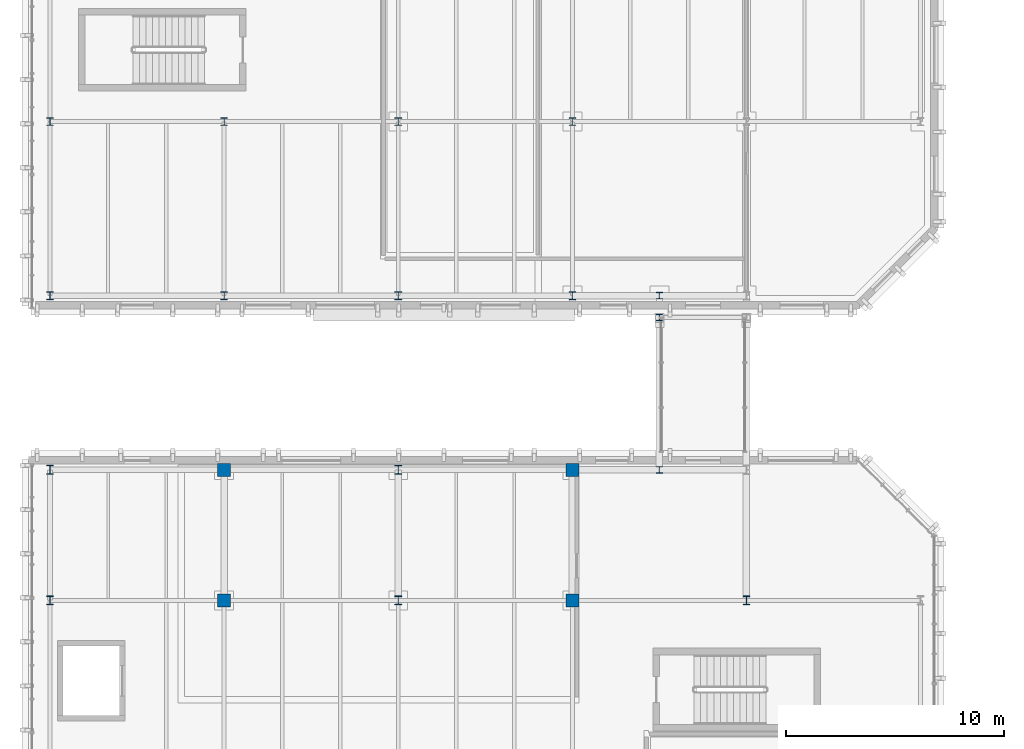
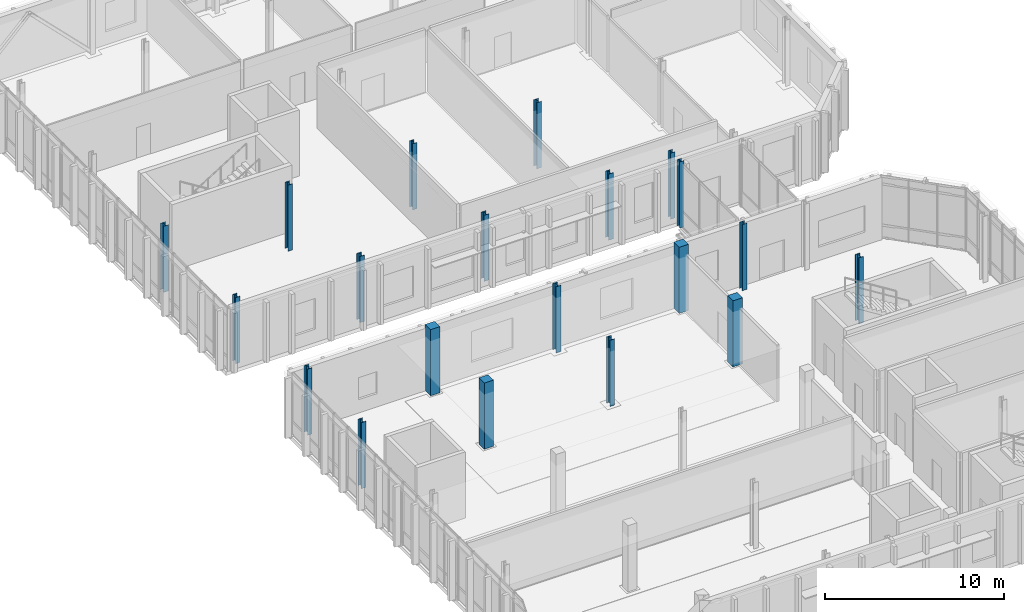
# One storey, part 8 of 86: 20 columns.
"""IFC4 building model written with IfcOpenShell, lengths in metres."""

import ifcopenshell
import ifcopenshell.guid

model = None  # the IFC model being written
_history = None  # IfcOwnerHistory: only IFC2X3 demands one
_inside = {}  # id of a spatial element -> (the spatial element, [elements in it])
_under = {}  # id of a project, library or spatial element -> (it, [spatial elements below it])
_declared = {}  # id of a project -> (the project, [libraries it declares])
_typed = {}  # id of a type object -> (the type object, [elements of that type])
_made_of = {}  # id of a material, layer set ... -> (it, [elements and type objects made of it])


def new_model(schema):
    """Start an empty IFC model of exactly this schema.

    Asked for "IFC4X3", IfcOpenShell would pick the latest addendum, in which some entities
    have other attributes; the version numbers below select the first issue.
    IFC2X3 requires an IfcOwnerHistory on every rooted entity: one is made here for all.
    """
    global model, _history
    if schema == "IFC4X3":
        model = ifcopenshell.file(schema_version=(4, 3, 0, 0))
    else:
        model = ifcopenshell.file(schema=schema)
    _inside.clear()
    _under.clear()
    _declared.clear()
    _typed.clear()
    _made_of.clear()
    _history = None
    if model.schema == "IFC2X3":
        org = make("IfcOrganization", Name="unknown")
        user = make(
            "IfcPersonAndOrganization",
            ThePerson=make("IfcPerson", FamilyName="unknown"),
            TheOrganization=org,
        )
        app = make(
            "IfcApplication",
            ApplicationDeveloper=org,
            Version="unknown",
            ApplicationFullName="unknown",
            ApplicationIdentifier="unknown",
        )
        _history = make(
            "IfcOwnerHistory",
            OwningUser=user,
            OwningApplication=app,
            ChangeAction="ADDED",
            CreationDate=0,
        )
    return model


def make(cls, **values):
    """One entity of the class cls with the attributes given. An attribute that is None is left unset."""
    return model.create_entity(
        cls, **{name: value for name, value in values.items() if value is not None}
    )


def rooted(cls, **values):
    """An entity with a GlobalId (a new one), such as an element, a storey or a relation."""
    return make(cls, GlobalId=ifcopenshell.guid.new(), OwnerHistory=_history, **values)


def si_unit(unit_type, name, prefix=None):
    """IfcSIUnit, for example si_unit("LENGTHUNIT", "METRE", prefix="MILLI")."""
    return make("IfcSIUnit", UnitType=unit_type, Prefix=prefix, Name=name)


def assignment(units):
    """IfcUnitAssignment: the units of a project."""
    return None if units is None else make("IfcUnitAssignment", Units=units)


def point(xyz):
    """IfcCartesianPoint."""
    return None if xyz is None else make("IfcCartesianPoint", Coordinates=xyz)


def direction(xyz):
    """IfcDirection."""
    return None if xyz is None else make("IfcDirection", DirectionRatios=xyz)


def frame(location, z_axis=None, x_axis=None):
    """IfcAxis2Placement3D, a coordinate frame: its origin and axes. An axis left out is left unset."""
    return make(
        "IfcAxis2Placement3D",
        Location=point(location),
        Axis=direction(z_axis),
        RefDirection=direction(x_axis),
    )


def frame_2d(location, x_axis=None):
    """IfcAxis2Placement2D, a coordinate frame in the plane: its origin and x axis."""
    return make(
        "IfcAxis2Placement2D", Location=point(location), RefDirection=direction(x_axis)
    )


def origin():
    """The frame at (0, 0, 0) with its axes left unset."""
    return frame((0.0, 0.0, 0.0))


def origin_2d():
    """The frame at (0, 0) in the plane with its x axis left unset."""
    return frame_2d((0.0, 0.0))


def place(relative_to, where):
    """IfcLocalPlacement: puts the frame where relative to a parent placement (None: the world)."""
    return make(
        "IfcLocalPlacement", PlacementRelTo=relative_to, RelativePlacement=where
    )


def context(
    kind, dimensions, precision=None, world=None, true_north=None, identifier=None
):
    """IfcGeometricRepresentationContext, for example the 3D "Model" context."""
    return make(
        "IfcGeometricRepresentationContext",
        ContextIdentifier=identifier,
        ContextType=kind,
        CoordinateSpaceDimension=dimensions,
        Precision=precision,
        WorldCoordinateSystem=world,
        TrueNorth=true_north,
    )


def subcontext(parent, identifier, kind, view, scale=None):
    """IfcGeometricRepresentationSubContext, for example "Body" below "Model"."""
    return make(
        "IfcGeometricRepresentationSubContext",
        ContextIdentifier=identifier,
        ContextType=kind,
        ParentContext=parent,
        TargetScale=scale,
        TargetView=view,
    )


def project(units=None, contexts=None):
    """IfcProject with its units and contexts."""
    return rooted(
        "IfcProject",
        Name="project",
        RepresentationContexts=contexts,
        UnitsInContext=assignment(units),
    )


def spatial(cls, under=None, at=None, **own):
    """A site, building, storey or space (cls), placed at a placement, below another one or the project."""
    s = rooted(cls, ObjectPlacement=at, **own)
    if under is not None:
        _under.setdefault(under.id(), (under, []))[1].append(s)
    return s


def profile(cls, at=None, kind="AREA", **sizes):
    """A parametric profile (cls). Its sizes go by their IFC names, for example OverallWidth=200.0."""
    return make(cls, ProfileType=kind, Position=at, **sizes)


def rectangle(**sizes):
    """IfcRectangleProfileDef."""
    return profile("IfcRectangleProfileDef", **sizes)


def i_section(**sizes):
    """IfcIShapeProfileDef."""
    return profile("IfcIShapeProfileDef", **sizes)


def extrude(swept, where, along, depth):
    """IfcExtrudedAreaSolid: the profile swept, set in the frame where, extruded along a direction by depth."""
    return make(
        "IfcExtrudedAreaSolid",
        SweptArea=swept,
        Position=where,
        ExtrudedDirection=direction(along),
        Depth=depth,
    )


def shape(context_of_items, identifier, shape_type, items):
    """IfcShapeRepresentation: the items that make up one representation, for example the "Body"."""
    return make(
        "IfcShapeRepresentation",
        ContextOfItems=context_of_items,
        RepresentationIdentifier=identifier,
        RepresentationType=shape_type,
        Items=items,
    )


def material(Name=None, Category=None):
    """IfcMaterial."""
    return make("IfcMaterial", Name=Name, Category=Category)


def material_profile(
    of_material, cross_section, Name=None, Category=None, Priority=None
):
    """IfcMaterialProfile: a cross section and its material."""
    return make(
        "IfcMaterialProfile",
        Name=Name,
        Material=of_material,
        Profile=cross_section,
        Priority=Priority,
        Category=Category,
    )


def profile_set(profiles, Name=None, composite=None):
    """IfcMaterialProfileSet."""
    return make(
        "IfcMaterialProfileSet",
        Name=Name,
        MaterialProfiles=profiles,
        CompositeProfile=composite,
    )


def made_of(thing, what):
    """Note that an element or type object is made of a material, layer set ...; save() writes the relation."""
    if what is not None:
        _made_of.setdefault(what.id(), (what, []))[1].append(thing)
    return thing


def type_object(cls, material=None, **own):
    """A type object (cls), such as IfcWallType, which elements share."""
    return made_of(rooted(cls, **own), material)


def element(
    cls,
    number,
    at=None,
    inside=None,
    cuts=None,
    type_object=None,
    material=None,
    context=None,
    identifier="Body",
    shape_type=None,
    held_by="IfcProductDefinitionShape",
    body=None,
    shapes=None,
    **own,
):
    """One element of the class cls, such as IfcWall. Its Tag is "e" and its number.

    at: its placement. inside: the storey or other place that contains it. cuts: it is an
    opening in that element (IfcRelVoidsElement). A single representation is given by context,
    identifier, shape_type and body (its items); several are given by shapes. held_by: the class
    of the entity that holds the representations. save() writes the other relations.
    """
    e = rooted(cls, Tag="e%d" % number, ObjectPlacement=at, **own)
    if body is not None:
        shapes = [shape(context, identifier, shape_type, body)]
    if shapes is not None:
        e.Representation = make(held_by, Representations=shapes)
    if inside is not None:
        _inside.setdefault(inside.id(), (inside, []))[1].append(e)
    if cuts is not None:
        rooted(
            "IfcRelVoidsElement", RelatingBuildingElement=cuts, RelatedOpeningElement=e
        )
    if type_object is not None:
        _typed.setdefault(type_object.id(), (type_object, []))[1].append(e)
    return made_of(e, material)


def aggregate(whole, parts):
    """IfcRelAggregates: a whole, such as a stair, and the parts it consists of."""
    return rooted("IfcRelAggregates", RelatingObject=whole, RelatedObjects=parts)


def save(model, path):
    """Write the relations noted so far, then the file.

    IfcRelAggregates (storeys below a building ...), IfcRelContainedInSpatialStructure (elements
    in a storey), IfcRelDefinesByType, IfcRelAssociatesMaterial and IfcRelDeclares: one each for
    every whole, place, type object, material and project.
    """
    for whole, parts in _under.values():
        aggregate(whole, parts)
    for where, things in _inside.values():
        rooted(
            "IfcRelContainedInSpatialStructure",
            RelatedElements=things,
            RelatingStructure=where,
        )
    for kind, things in _typed.values():
        rooted("IfcRelDefinesByType", RelatedObjects=things, RelatingType=kind)
    for what, things in _made_of.values():
        rooted("IfcRelAssociatesMaterial", RelatedObjects=things, RelatingMaterial=what)
    for by, libraries in _declared.values():
        rooted("IfcRelDeclares", RelatingContext=by, RelatedDefinitions=libraries)
    model.write(path)


model = new_model("IFC4")

# Units and contexts
model_context = context("Model", 3, precision=1e-05, world=origin(), true_north=direction((0.0, 1.0)))
body_context = subcontext(model_context, "Body", "Model", "MODEL_VIEW")
ifc_project = project(units=[si_unit("LENGTHUNIT", "METRE"), si_unit("AREAUNIT", "SQUARE_METRE"), si_unit("VOLUMEUNIT", "CUBIC_METRE"), si_unit("PLANEANGLEUNIT", "RADIAN"), si_unit("MASSUNIT", "GRAM", prefix="KILO")], contexts=[model_context])

# Site, building, storey
site_placement = place(None, origin())
site = spatial("IfcSite", under=ifc_project, at=site_placement, CompositionType="ELEMENT")
building_placement = place(site_placement, origin())
building = spatial("IfcBuilding", under=site, at=building_placement, Name="Cymarion Research Institute", CompositionType="ELEMENT")
storey_placement = place(building_placement, frame((0.0, 0.0, 13.800048828125)))
storey = spatial("IfcBuildingStorey", under=building, at=storey_placement, Name="L03", CompositionType="ELEMENT", Elevation=13.800048828125)

# Columns
ifc_material_1 = material(Name="Steel S355", Category="steel")
ifc_material_profile_1 = material_profile(ifc_material_1, i_section(OverallWidth=0.300048828125, OverallDepth=0.39990234375, WebThickness=0.013427734375, FlangeThickness=0.02392578125, FilletRadius=0.027099609375, at=origin_2d()), Name="HEB 400")
ifc_profile_set_1 = profile_set([ifc_material_profile_1], Name="Steel S355")
column_type_1 = type_object("IfcColumnType", Name="STRUCTURAL COLUMN C06 HEB 400", PredefinedType="COLUMN", material=ifc_profile_set_1)
for number, where, z_axis, x_axis, name in (
    (1, (6.60009765625, 71.5, 0.0), (0.0, 0.0, 1.0), (1.0, 0.0, 0.0), "L03 V4 column C06 #867"),
    (2, (6.60009765625, 77.5, 0.0), (0.0, 0.0, 1.0), (1.0, 0.0, 0.0), "L03 V4 column C06 #868"),
    (3, (22.60009765625, 71.5, 0.0), (0.0, 0.0, 1.0), (1.0, 0.0, 0.0), "L03 V4 column C06 #886"),
    (4, (22.60009765625, 77.5, 0.0), (0.0, 0.0, 1.0), (1.0, 0.0, 0.0), "L03 V4 column C06 #887"),
    (5, (38.60009765625, 71.5, 0.0), (0.0, 0.0, 1.0), (1.0, 0.0, 0.0), "L03 V4 column C06 #908"),
):
    element("IfcColumn", number, at=place(storey_placement, frame(where, z_axis=z_axis, x_axis=x_axis)), inside=storey, type_object=column_type_1, Name=name, PredefinedType="COLUMN", context=body_context, shape_type="SweptSolid", body=[
        extrude(i_section(OverallWidth=0.300048828125, OverallDepth=0.39990234375, WebThickness=0.013427734375, FlangeThickness=0.02392578125, FilletRadius=0.027099609375, at=origin_2d()), origin(), (0.0, 0.0, 1.0), 4.5),
    ])
ifc_material_profile_2 = material_profile(ifc_material_1, i_section(OverallWidth=0.300048828125, OverallDepth=0.360107421875, WebThickness=0.012451171875, FlangeThickness=0.0224609375, FilletRadius=0.027099609375, at=origin_2d()), Name="HEB 360")
ifc_profile_set_2 = profile_set([ifc_material_profile_2], Name="Steel S355")
column_type_2 = type_object("IfcColumnType", Name="STRUCTURAL COLUMN C07 HEB 360", PredefinedType="COLUMN", material=ifc_profile_set_2)
for number, where, z_axis, x_axis, name in (
    (6, (6.60009765625, 85.5, 0.0), (0.0, 0.0, 1.0), (1.0, 0.0, 0.0), "L03 V5 column C07 #869"),
    (7, (14.60009765625, 85.5, 0.0), (0.0, 0.0, 1.0), (1.0, 0.0, 0.0), "L03 V5 column C07 #879"),
    (8, (22.60009765625, 85.5, 0.0), (0.0, 0.0, 1.0), (1.0, 0.0, 0.0), "L03 V5 column C07 #888"),
    (9, (30.60009765625, 85.5, 0.0), (0.0, 0.0, 1.0), (1.0, 0.0, 0.0), "L03 V5 column C07 #898"),
):
    element("IfcColumn", number, at=place(storey_placement, frame(where, z_axis=z_axis, x_axis=x_axis)), inside=storey, type_object=column_type_2, Name=name, PredefinedType="COLUMN", context=body_context, shape_type="SweptSolid", body=[
        extrude(i_section(OverallWidth=0.300048828125, OverallDepth=0.360107421875, WebThickness=0.012451171875, FlangeThickness=0.0224609375, FilletRadius=0.027099609375, at=origin_2d()), origin(), (0.0, 0.0, 1.0), 4.5),
    ])
ifc_material_profile_3 = material_profile(ifc_material_1, i_section(OverallWidth=0.300048828125, OverallDepth=0.300048828125, WebThickness=0.010986328125, FlangeThickness=0.01904296875, FilletRadius=0.027099609375, at=origin_2d()), Name="HEB 300")
ifc_profile_set_3 = profile_set([ifc_material_profile_3], Name="Steel S355")
column_type_3 = type_object("IfcColumnType", Name="STRUCTURAL COLUMN C08 HEB 300", PredefinedType="COLUMN", material=ifc_profile_set_3)
for number, where, z_axis, x_axis, name in (
    (10, (34.60009765625, 77.5, 0.0), (0.0, 0.0, 1.0), (1.0, 0.0, 0.0), "L03 V4 column C08 #903"),
    (11, (34.60009765625, 85.5, 0.0), (0.0, 0.0, 1.0), (1.0, 0.0, 0.0), "L03 V5 column C08 #905"),
):
    element("IfcColumn", number, at=place(storey_placement, frame(where, z_axis=z_axis, x_axis=x_axis)), inside=storey, type_object=column_type_3, Name=name, PredefinedType="COLUMN", context=body_context, shape_type="SweptSolid", body=[
        extrude(i_section(OverallWidth=0.300048828125, OverallDepth=0.300048828125, WebThickness=0.010986328125, FlangeThickness=0.01904296875, FilletRadius=0.027099609375, at=origin_2d()), origin(), (0.0, 0.0, 1.0), 4.5),
    ])
ifc_material_profile_4 = material_profile(ifc_material_1, i_section(OverallWidth=0.280029296875, OverallDepth=0.280029296875, WebThickness=0.010498046875, FlangeThickness=0.01806640625, FilletRadius=0.02392578125, at=origin_2d()), Name="HEB 280")
ifc_profile_set_4 = profile_set([ifc_material_profile_4], Name="Steel S355")
column_type_4 = type_object("IfcColumnType", Name="STRUCTURAL COLUMN C09 HEB 280", PredefinedType="COLUMN", material=ifc_profile_set_4)
column_placement = place(storey_placement, frame((34.60009765625, 84.5, 0.0), z_axis=(0.0, 0.0, 1.0), x_axis=(1.0, 0.0, 0.0)))
element("IfcColumn", 12, at=column_placement, inside=storey, type_object=column_type_4, Name="L03 V4 column C09 #904", PredefinedType="COLUMN", context=body_context, shape_type="SweptSolid", body=[
    extrude(i_section(OverallWidth=0.280029296875, OverallDepth=0.280029296875, WebThickness=0.010498046875, FlangeThickness=0.01806640625, FilletRadius=0.02392578125, at=origin_2d()), origin(), (0.0, 0.0, 1.0), 4.5),
])
ifc_material_profile_5 = material_profile(ifc_material_1, i_section(OverallWidth=0.300048828125, OverallDepth=0.35009765625, WebThickness=0.010009765625, FlangeThickness=0.017578125, FilletRadius=0.027099609375, at=origin_2d()), Name="HEA 360")
ifc_profile_set_5 = profile_set([ifc_material_profile_5], Name="Steel S355")
column_type_5 = type_object("IfcColumnType", Name="STRUCTURAL COLUMN C12 HEA 360", PredefinedType="COLUMN", material=ifc_profile_set_5)
for number, where, z_axis, x_axis, name in (
    (13, (6.60009765625, 93.5, 0.0), (0.0, 0.0, 1.0), (1.0, 0.0, 0.0), "L03 V5 column C12 #870"),
    (14, (14.60009765625, 93.5, 0.0), (0.0, 0.0, 1.0), (1.0, 0.0, 0.0), "L03 V5 column C12 #880"),
    (15, (22.60009765625, 93.5, 0.0), (0.0, 0.0, 1.0), (1.0, 0.0, 0.0), "L03 V5 column C12 #889"),
    (16, (30.60009765625, 93.5, 0.0), (0.0, 0.0, 1.0), (1.0, 0.0, 0.0), "L03 V5 column C12 #899"),
):
    element("IfcColumn", number, at=place(storey_placement, frame(where, z_axis=z_axis, x_axis=x_axis)), inside=storey, type_object=column_type_5, Name=name, PredefinedType="COLUMN", context=body_context, shape_type="SweptSolid", body=[
        extrude(i_section(OverallWidth=0.300048828125, OverallDepth=0.35009765625, WebThickness=0.010009765625, FlangeThickness=0.017578125, FilletRadius=0.027099609375, at=origin_2d()), origin(), (0.0, 0.0, 1.0), 4.5),
    ])
ifc_material_2 = material(Name="Concrete C40/50", Category="concrete")
ifc_material_profile_6 = material_profile(ifc_material_2, rectangle(XDim=0.60009765625, YDim=0.60009765625, at=origin_2d()), Name="RC 600x600")
ifc_profile_set_6 = profile_set([ifc_material_profile_6], Name="Concrete C40/50")
column_type_6 = type_object("IfcColumnType", Name="STRUCTURAL COLUMN C18 RC 600x600", PredefinedType="COLUMN", material=ifc_profile_set_6)
for number, where, z_axis, x_axis, name in (
    (17, (14.60009765625, 71.5, 0.0), (0.0, 0.0, 1.0), (1.0, 0.0, 0.0), "L03 V4 column C18 #877"),
    (18, (14.60009765625, 77.5, 0.0), (0.0, 0.0, 1.0), (1.0, 0.0, 0.0), "L03 V4 column C18 #878"),
    (19, (30.60009765625, 71.5, 0.0), (0.0, 0.0, 1.0), (1.0, 0.0, 0.0), "L03 V4 column C18 #896"),
    (20, (30.60009765625, 77.5, 0.0), (0.0, 0.0, 1.0), (1.0, 0.0, 0.0), "L03 V4 column C18 #897"),
):
    element("IfcColumn", number, at=place(storey_placement, frame(where, z_axis=z_axis, x_axis=x_axis)), inside=storey, type_object=column_type_6, Name=name, PredefinedType="COLUMN", context=body_context, shape_type="SweptSolid", body=[
        extrude(rectangle(XDim=0.60009765625, YDim=0.60009765625, at=origin_2d()), origin(), (0.0, 0.0, 1.0), 4.5),
    ])

save(model, "model.ifc")
